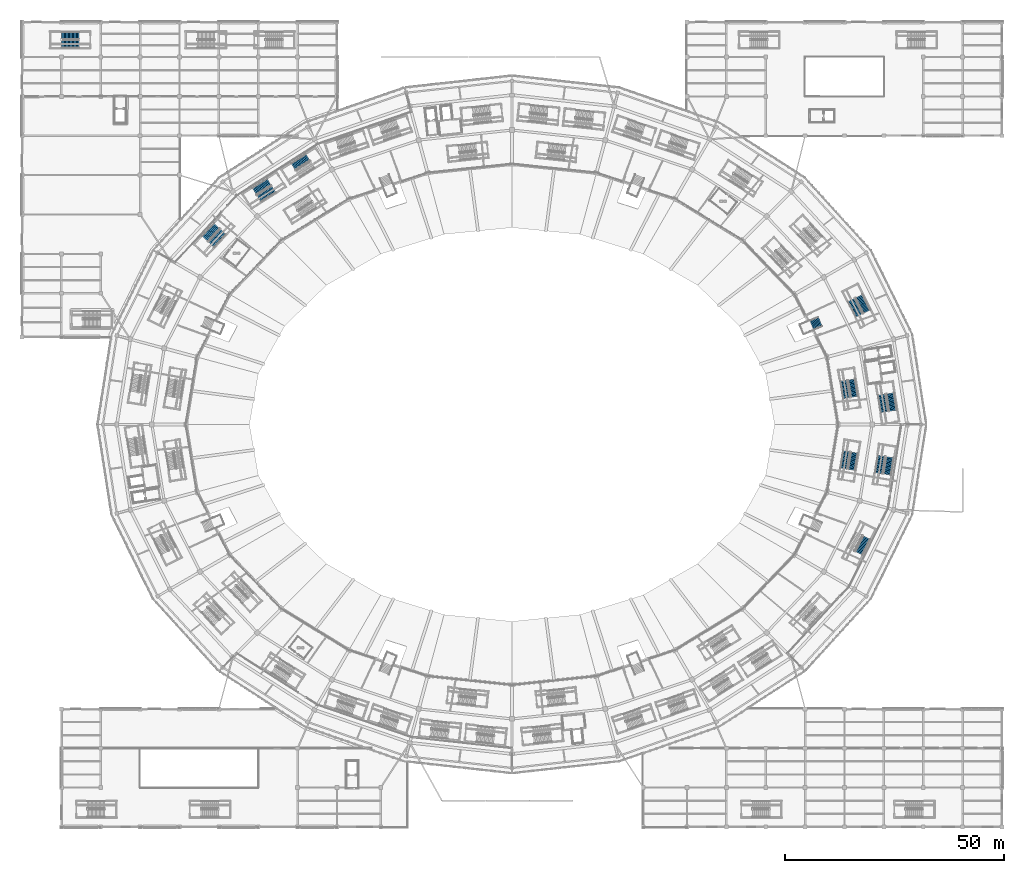
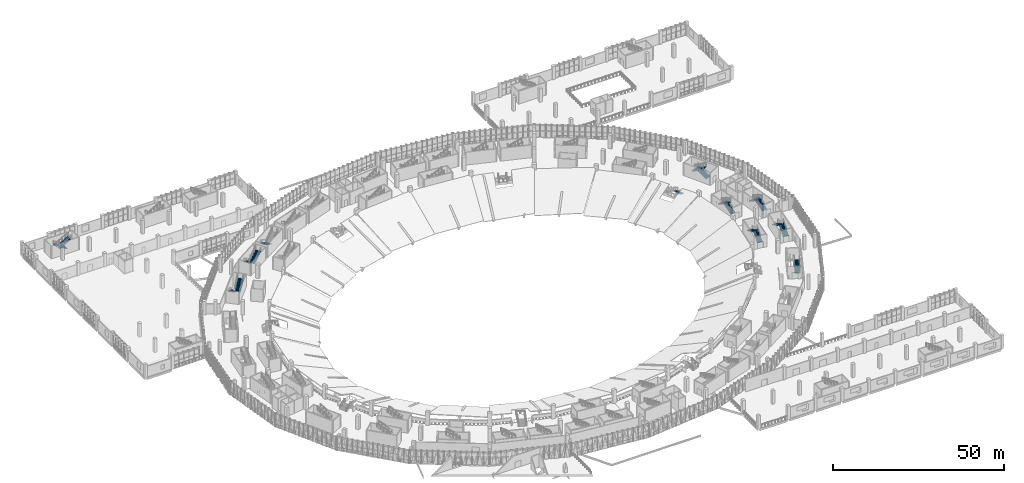
# One storey, part 116 of 183: 19 stair flights, 11 elements without a shape of their own.
"""IFC4 building model written with IfcOpenShell, lengths in metres."""

from ifc_helpers import new_model, si_unit, direction, frame, origin, place, context, subcontext, project, spatial, polyline, outline, extrude, material, type_object, element, aggregate, save


model = new_model("IFC4")

# Units and contexts
model_context = context("Model", 3, precision=1e-05, world=origin(), true_north=direction((0.0, 1.0)))
body_context = subcontext(model_context, "Body", "Model", "MODEL_VIEW")
ifc_project = project(units=[si_unit("LENGTHUNIT", "METRE"), si_unit("AREAUNIT", "SQUARE_METRE"), si_unit("VOLUMEUNIT", "CUBIC_METRE"), si_unit("PLANEANGLEUNIT", "RADIAN"), si_unit("MASSUNIT", "GRAM", prefix="KILO")], contexts=[model_context])

# Site, building, storey
site_placement = place(None, origin())
site = spatial("IfcSite", under=ifc_project, at=site_placement, CompositionType="ELEMENT")
building_placement = place(site_placement, origin())
building = spatial("IfcBuilding", under=site, at=building_placement, Name="Zevraka Park Crest Stadium", CompositionType="ELEMENT")
storey_placement = place(building_placement, frame((0.0, 0.0, 5.39990234375)))
storey = spatial("IfcBuildingStorey", under=building, at=storey_placement, Name="L01", CompositionType="ELEMENT", Elevation=5.39990234375)

# Stair, stair flights
ifc_material_1 = material(Name="Concrete C35/45", Category="concrete")
stair_type_1 = type_object("IfcStairType", Name="STA2", PredefinedType="HALF_TURN_STAIR", material=ifc_material_1)
stair_1_placement = place(storey_placement, origin())
stair_1 = element("IfcStair", 1, at=stair_1_placement, inside=storey, type_object=stair_type_1, Name="L01 Protected Concourse Exit Stair ST01", PredefinedType="HALF_TURN_STAIR")
ifc_material_2 = material(Name="Concrete C35/45", Category="concrete")
stair_flight_type_1 = type_object("IfcStairFlightType", Name="FLA2", PredefinedType="STRAIGHT", material=ifc_material_2)
stair_flight_1_placement = place(storey_placement, frame((199.0859375, 95.17333984375, 0.0), z_axis=(0.0, 0.0, 1.0), x_axis=(-0.157261853897, 0.987556939781, 0.0)))
stair_flight_1 = element("IfcStairFlight", 2, at=stair_flight_1_placement, type_object=stair_flight_type_1, Name="ST01 flight 1", NumberOfRisers=14, NumberOfTreads=13, PredefinedType="STRAIGHT", RiserHeight=0.171428571, TreadLength=0.305, context=body_context, shape_type="SweptSolid", body=[
    extrude(outline(polyline([(0.0, 0.0), (0.0, 0.17138671875), (0.304931640625, 0.17138671875), (0.304931640625, 0.3427734375), (0.610107421875, 0.3427734375), (0.610107421875, 0.514404296875), (0.9150390625, 0.514404296875), (0.9150390625, 0.685791015625), (1.219970703125, 0.685791015625), (1.219970703125, 0.857177734375), (1.52490234375, 0.857177734375), (1.52490234375, 1.028564453125), (1.830078125, 1.028564453125), (1.830078125, 1.199951171875), (2.135009765625, 1.199951171875), (2.135009765625, 1.371337890625), (2.43994140625, 1.371337890625), (2.43994140625, 1.54296875), (2.7451171875, 1.54296875), (2.7451171875, 1.71435546875), (3.050048828125, 1.71435546875), (3.050048828125, 1.8857421875), (3.35498046875, 1.8857421875), (3.35498046875, 2.05712890625), (3.659912109375, 2.05712890625), (3.659912109375, 2.228515625), (3.965087890625, 2.228515625), (3.965087890625, 2.39990234375), (3.965087890625, 2.045166015625), (0.326416015625, 0.0), (0.0, 0.0)])), frame((0.0, 0.89990234375, 0.0), z_axis=(0.0, -1.0, 0.0), x_axis=(1.0, 0.0, 0.0)), (0.0, 0.0, 1.0), 1.800048828125),
])
stair_flight_2_placement = place(storey_placement, frame((196.52685546875, 98.78076171875, 2.400146484375), z_axis=(0.0, 0.0, 1.0), x_axis=(0.157261853897, -0.987556939781, 0.0)))
stair_flight_2 = element("IfcStairFlight", 3, at=stair_flight_2_placement, type_object=stair_flight_type_1, Name="ST01 flight 2", NumberOfRisers=14, NumberOfTreads=13, PredefinedType="STRAIGHT", RiserHeight=0.171428571, TreadLength=0.305, context=body_context, shape_type="SweptSolid", body=[
    extrude(outline(polyline([(0.0, 0.0), (0.0, 0.17138671875), (0.304931640625, 0.17138671875), (0.304931640625, 0.3427734375), (0.610107421875, 0.3427734375), (0.610107421875, 0.514404296875), (0.9150390625, 0.514404296875), (0.9150390625, 0.685791015625), (1.219970703125, 0.685791015625), (1.219970703125, 0.857177734375), (1.52490234375, 0.857177734375), (1.52490234375, 1.028564453125), (1.830078125, 1.028564453125), (1.830078125, 1.199951171875), (2.135009765625, 1.199951171875), (2.135009765625, 1.371337890625), (2.43994140625, 1.371337890625), (2.43994140625, 1.54296875), (2.7451171875, 1.54296875), (2.7451171875, 1.71435546875), (3.050048828125, 1.71435546875), (3.050048828125, 1.8857421875), (3.35498046875, 1.8857421875), (3.35498046875, 2.05712890625), (3.659912109375, 2.05712890625), (3.659912109375, 2.228515625), (3.965087890625, 2.228515625), (3.965087890625, 2.39990234375), (3.965087890625, 2.045166015625), (0.326416015625, 0.0), (0.0, 0.0)])), frame((0.0, 0.89990234375, 0.0), z_axis=(0.0, -1.0, 0.0), x_axis=(1.0, 0.0, 0.0)), (0.0, 0.0, 1.0), 1.800048828125),
])
aggregate(stair_1, [stair_flight_1, stair_flight_2])

stair_2_placement = place(storey_placement, origin())
stair_2 = element("IfcStair", 4, at=stair_2_placement, inside=storey, type_object=stair_type_1, Name="L01 Protected Concourse Exit Stair ST02", PredefinedType="HALF_TURN_STAIR")
stair_flight_3_placement = place(storey_placement, frame((193.1064453125, 117.7939453125, 0.0), z_axis=(0.0, 0.0, 1.0), x_axis=(-0.447915140373, 0.894076074518, 0.0)))
stair_flight_3 = element("IfcStairFlight", 5, at=stair_flight_3_placement, type_object=stair_flight_type_1, Name="ST02 flight 1", NumberOfRisers=14, NumberOfTreads=13, PredefinedType="STRAIGHT", RiserHeight=0.171428571, TreadLength=0.305, context=body_context, shape_type="SweptSolid", body=[
    extrude(outline(polyline([(0.0, 0.0), (0.0, 0.17138671875), (0.304931640625, 0.17138671875), (0.304931640625, 0.3427734375), (0.610107421875, 0.3427734375), (0.610107421875, 0.514404296875), (0.9150390625, 0.514404296875), (0.9150390625, 0.685791015625), (1.219970703125, 0.685791015625), (1.219970703125, 0.857177734375), (1.52490234375, 0.857177734375), (1.52490234375, 1.028564453125), (1.830078125, 1.028564453125), (1.830078125, 1.199951171875), (2.135009765625, 1.199951171875), (2.135009765625, 1.371337890625), (2.43994140625, 1.371337890625), (2.43994140625, 1.54296875), (2.7451171875, 1.54296875), (2.7451171875, 1.71435546875), (3.050048828125, 1.71435546875), (3.050048828125, 1.8857421875), (3.35498046875, 1.8857421875), (3.35498046875, 2.05712890625), (3.659912109375, 2.05712890625), (3.659912109375, 2.228515625), (3.965087890625, 2.228515625), (3.965087890625, 2.39990234375), (3.965087890625, 2.045166015625), (0.326416015625, 0.0), (0.0, 0.0)])), frame((0.0, 0.89990234375, 0.0), z_axis=(0.0, -1.0, 0.0), x_axis=(1.0, 0.0, 0.0)), (0.0, 0.0, 1.0), 1.800048828125),
])
stair_flight_4_placement = place(storey_placement, frame((189.578125, 120.461181640625, 2.400146484375), z_axis=(0.0, 0.0, 1.0), x_axis=(0.447915140373, -0.894076074518, 0.0)))
stair_flight_4 = element("IfcStairFlight", 6, at=stair_flight_4_placement, type_object=stair_flight_type_1, Name="ST02 flight 2", NumberOfRisers=14, NumberOfTreads=13, PredefinedType="STRAIGHT", RiserHeight=0.171428571, TreadLength=0.305, context=body_context, shape_type="SweptSolid", body=[
    extrude(outline(polyline([(0.0, 0.0), (0.0, 0.17138671875), (0.304931640625, 0.17138671875), (0.304931640625, 0.3427734375), (0.610107421875, 0.3427734375), (0.610107421875, 0.514404296875), (0.9150390625, 0.514404296875), (0.9150390625, 0.685791015625), (1.219970703125, 0.685791015625), (1.219970703125, 0.857177734375), (1.52490234375, 0.857177734375), (1.52490234375, 1.028564453125), (1.830078125, 1.028564453125), (1.830078125, 1.199951171875), (2.135009765625, 1.199951171875), (2.135009765625, 1.371337890625), (2.43994140625, 1.371337890625), (2.43994140625, 1.54296875), (2.7451171875, 1.54296875), (2.7451171875, 1.71435546875), (3.050048828125, 1.71435546875), (3.050048828125, 1.8857421875), (3.35498046875, 1.8857421875), (3.35498046875, 2.05712890625), (3.659912109375, 2.05712890625), (3.659912109375, 2.228515625), (3.965087890625, 2.228515625), (3.965087890625, 2.39990234375), (3.965087890625, 2.045166015625), (0.326416015625, 0.0), (0.0, 0.0)])), frame((0.0, 0.89990234375, 0.0), z_axis=(0.0, -1.0, 0.0), x_axis=(1.0, 0.0, 0.0)), (0.0, 0.0, 1.0), 1.800048828125),
])
aggregate(stair_2, [stair_flight_3, stair_flight_4])

# Stair, stair flight
stair_3_placement = place(storey_placement, origin())
stair_3 = element("IfcStair", 7, at=stair_3_placement, inside=storey, type_object=stair_type_1, Name="L01 Protected Concourse Exit Stair ST09", PredefinedType="HALF_TURN_STAIR")
stair_flight_5_placement = place(storey_placement, frame((65.35009765625, 153.042724609375, 0.0), z_axis=(0.0, 0.0, 1.0), x_axis=(-0.844397122829, -0.535717741874, 0.0)))
stair_flight_5 = element("IfcStairFlight", 8, at=stair_flight_5_placement, type_object=stair_flight_type_1, Name="ST09 flight 1", NumberOfRisers=14, NumberOfTreads=13, PredefinedType="STRAIGHT", RiserHeight=0.171428571, TreadLength=0.305, context=body_context, shape_type="SweptSolid", body=[
    extrude(outline(polyline([(0.0, 0.0), (0.0, 0.17138671875), (0.304931640625, 0.17138671875), (0.304931640625, 0.3427734375), (0.610107421875, 0.3427734375), (0.610107421875, 0.514404296875), (0.9150390625, 0.514404296875), (0.9150390625, 0.685791015625), (1.219970703125, 0.685791015625), (1.219970703125, 0.857177734375), (1.52490234375, 0.857177734375), (1.52490234375, 1.028564453125), (1.830078125, 1.028564453125), (1.830078125, 1.199951171875), (2.135009765625, 1.199951171875), (2.135009765625, 1.371337890625), (2.43994140625, 1.371337890625), (2.43994140625, 1.54296875), (2.7451171875, 1.54296875), (2.7451171875, 1.71435546875), (3.050048828125, 1.71435546875), (3.050048828125, 1.8857421875), (3.35498046875, 1.8857421875), (3.35498046875, 2.05712890625), (3.659912109375, 2.05712890625), (3.659912109375, 2.228515625), (3.965087890625, 2.228515625), (3.965087890625, 2.39990234375), (3.965087890625, 2.045166015625), (0.326416015625, 0.0), (0.0, 0.0)])), frame((0.0, 0.89990234375, 0.0), z_axis=(0.0, -1.0, 0.0), x_axis=(1.0, 0.0, 0.0)), (0.0, 0.0, 1.0), 1.800048828125),
])
aggregate(stair_3, [stair_flight_5])

# Stair, stair flights
stair_4_placement = place(storey_placement, origin())
stair_4 = element("IfcStair", 9, at=stair_4_placement, inside=storey, type_object=stair_type_1, Name="L01 Protected Concourse Exit Stair ST10", PredefinedType="HALF_TURN_STAIR")
stair_flight_6_placement = place(storey_placement, frame((44.5419921875, 137.365234375, 0.0), z_axis=(0.0, 0.0, 1.0), x_axis=(-0.680255347227, -0.732975212793, 0.0)))
stair_flight_6 = element("IfcStairFlight", 10, at=stair_flight_6_placement, type_object=stair_flight_type_1, Name="ST10 flight 1", NumberOfRisers=14, NumberOfTreads=13, PredefinedType="STRAIGHT", RiserHeight=0.171428571, TreadLength=0.305, context=body_context, shape_type="SweptSolid", body=[
    extrude(outline(polyline([(0.0, 0.0), (0.0, 0.17138671875), (0.304931640625, 0.17138671875), (0.304931640625, 0.3427734375), (0.610107421875, 0.3427734375), (0.610107421875, 0.514404296875), (0.9150390625, 0.514404296875), (0.9150390625, 0.685791015625), (1.219970703125, 0.685791015625), (1.219970703125, 0.857177734375), (1.52490234375, 0.857177734375), (1.52490234375, 1.028564453125), (1.830078125, 1.028564453125), (1.830078125, 1.199951171875), (2.135009765625, 1.199951171875), (2.135009765625, 1.371337890625), (2.43994140625, 1.371337890625), (2.43994140625, 1.54296875), (2.7451171875, 1.54296875), (2.7451171875, 1.71435546875), (3.050048828125, 1.71435546875), (3.050048828125, 1.8857421875), (3.35498046875, 1.8857421875), (3.35498046875, 2.05712890625), (3.659912109375, 2.05712890625), (3.659912109375, 2.228515625), (3.965087890625, 2.228515625), (3.965087890625, 2.39990234375), (3.965087890625, 2.045166015625), (0.326416015625, 0.0), (0.0, 0.0)])), frame((0.0, 0.89990234375, 0.0), z_axis=(0.0, -1.0, 0.0), x_axis=(1.0, 0.0, 0.0)), (0.0, 0.0, 1.0), 1.800048828125),
])
stair_flight_7_placement = place(storey_placement, frame((43.281494140625, 133.125732421875, 2.400146484375), z_axis=(0.0, 0.0, 1.0), x_axis=(0.680255347227, 0.732975212793, 0.0)))
stair_flight_7 = element("IfcStairFlight", 11, at=stair_flight_7_placement, type_object=stair_flight_type_1, Name="ST10 flight 2", NumberOfRisers=14, NumberOfTreads=13, PredefinedType="STRAIGHT", RiserHeight=0.171428571, TreadLength=0.305, context=body_context, shape_type="SweptSolid", body=[
    extrude(outline(polyline([(0.0, 0.0), (0.0, 0.17138671875), (0.304931640625, 0.17138671875), (0.304931640625, 0.3427734375), (0.610107421875, 0.3427734375), (0.610107421875, 0.514404296875), (0.9150390625, 0.514404296875), (0.9150390625, 0.685791015625), (1.219970703125, 0.685791015625), (1.219970703125, 0.857177734375), (1.52490234375, 0.857177734375), (1.52490234375, 1.028564453125), (1.830078125, 1.028564453125), (1.830078125, 1.199951171875), (2.135009765625, 1.199951171875), (2.135009765625, 1.371337890625), (2.43994140625, 1.371337890625), (2.43994140625, 1.54296875), (2.7451171875, 1.54296875), (2.7451171875, 1.71435546875), (3.050048828125, 1.71435546875), (3.050048828125, 1.8857421875), (3.35498046875, 1.8857421875), (3.35498046875, 2.05712890625), (3.659912109375, 2.05712890625), (3.659912109375, 2.228515625), (3.965087890625, 2.228515625), (3.965087890625, 2.39990234375), (3.965087890625, 2.045166015625), (0.326416015625, 0.0), (0.0, 0.0)])), frame((0.0, 0.89990234375, 0.0), z_axis=(0.0, -1.0, 0.0), x_axis=(1.0, 0.0, 0.0)), (0.0, 0.0, 1.0), 1.800048828125),
])
aggregate(stair_4, [stair_flight_6, stair_flight_7])

# Stair, stair flight
stair_5_placement = place(storey_placement, origin())
stair_5 = element("IfcStair", 12, at=stair_5_placement, inside=storey, type_object=stair_type_1, Name="L01 Protected Concourse Exit Stair ST23", PredefinedType="HALF_TURN_STAIR")
stair_flight_8_placement = place(storey_placement, frame((191.292236328125, 62.584228515625, 0.0), z_axis=(0.0, 0.0, 1.0), x_axis=(0.447915140373, 0.894076074518, 0.0)))
stair_flight_8 = element("IfcStairFlight", 13, at=stair_flight_8_placement, type_object=stair_flight_type_1, Name="ST23 flight 1", NumberOfRisers=14, NumberOfTreads=13, PredefinedType="STRAIGHT", RiserHeight=0.171428571, TreadLength=0.305, context=body_context, shape_type="SweptSolid", body=[
    extrude(outline(polyline([(0.0, 0.0), (0.0, 0.17138671875), (0.304931640625, 0.17138671875), (0.304931640625, 0.3427734375), (0.610107421875, 0.3427734375), (0.610107421875, 0.514404296875), (0.9150390625, 0.514404296875), (0.9150390625, 0.685791015625), (1.219970703125, 0.685791015625), (1.219970703125, 0.857177734375), (1.52490234375, 0.857177734375), (1.52490234375, 1.028564453125), (1.830078125, 1.028564453125), (1.830078125, 1.199951171875), (2.135009765625, 1.199951171875), (2.135009765625, 1.371337890625), (2.43994140625, 1.371337890625), (2.43994140625, 1.54296875), (2.7451171875, 1.54296875), (2.7451171875, 1.71435546875), (3.050048828125, 1.71435546875), (3.050048828125, 1.8857421875), (3.35498046875, 1.8857421875), (3.35498046875, 2.05712890625), (3.659912109375, 2.05712890625), (3.659912109375, 2.228515625), (3.965087890625, 2.228515625), (3.965087890625, 2.39990234375), (3.965087890625, 2.045166015625), (0.326416015625, 0.0), (0.0, 0.0)])), frame((0.0, 0.89990234375, 0.0), z_axis=(0.0, -1.0, 0.0), x_axis=(1.0, 0.0, 0.0)), (0.0, 0.0, 1.0), 1.800048828125),
])
aggregate(stair_5, [stair_flight_8])

# Stair, stair flights
stair_6_placement = place(storey_placement, origin())
stair_6 = element("IfcStair", 14, at=stair_6_placement, inside=storey, type_object=stair_type_1, Name="L01 Protected Concourse Exit Stair ST24", PredefinedType="HALF_TURN_STAIR")
stair_flight_9_placement = place(storey_placement, frame((197.7734375, 80.580322265625, 0.0), z_axis=(0.0, 0.0, 1.0), x_axis=(0.157261853897, 0.987556939781, 0.0)))
stair_flight_9 = element("IfcStairFlight", 15, at=stair_flight_9_placement, type_object=stair_flight_type_1, Name="ST24 flight 1", NumberOfRisers=14, NumberOfTreads=13, PredefinedType="STRAIGHT", RiserHeight=0.171428571, TreadLength=0.305, context=body_context, shape_type="SweptSolid", body=[
    extrude(outline(polyline([(0.0, 0.0), (0.0, 0.17138671875), (0.304931640625, 0.17138671875), (0.304931640625, 0.3427734375), (0.610107421875, 0.3427734375), (0.610107421875, 0.514404296875), (0.9150390625, 0.514404296875), (0.9150390625, 0.685791015625), (1.219970703125, 0.685791015625), (1.219970703125, 0.857177734375), (1.52490234375, 0.857177734375), (1.52490234375, 1.028564453125), (1.830078125, 1.028564453125), (1.830078125, 1.199951171875), (2.135009765625, 1.199951171875), (2.135009765625, 1.371337890625), (2.43994140625, 1.371337890625), (2.43994140625, 1.54296875), (2.7451171875, 1.54296875), (2.7451171875, 1.71435546875), (3.050048828125, 1.71435546875), (3.050048828125, 1.8857421875), (3.35498046875, 1.8857421875), (3.35498046875, 2.05712890625), (3.659912109375, 2.05712890625), (3.659912109375, 2.228515625), (3.965087890625, 2.228515625), (3.965087890625, 2.39990234375), (3.965087890625, 2.045166015625), (0.326416015625, 0.0), (0.0, 0.0)])), frame((0.0, 0.89990234375, 0.0), z_axis=(0.0, -1.0, 0.0), x_axis=(1.0, 0.0, 0.0)), (0.0, 0.0, 1.0), 1.800048828125),
])
stair_flight_10_placement = place(storey_placement, frame((196.461181640625, 84.804443359375, 2.400146484375), z_axis=(0.0, 0.0, 1.0), x_axis=(-0.157261853897, -0.987556939781, 0.0)))
stair_flight_10 = element("IfcStairFlight", 16, at=stair_flight_10_placement, type_object=stair_flight_type_1, Name="ST24 flight 2", NumberOfRisers=14, NumberOfTreads=13, PredefinedType="STRAIGHT", RiserHeight=0.171428571, TreadLength=0.305, context=body_context, shape_type="SweptSolid", body=[
    extrude(outline(polyline([(0.0, 0.0), (0.0, 0.17138671875), (0.304931640625, 0.17138671875), (0.304931640625, 0.3427734375), (0.610107421875, 0.3427734375), (0.610107421875, 0.514404296875), (0.9150390625, 0.514404296875), (0.9150390625, 0.685791015625), (1.219970703125, 0.685791015625), (1.219970703125, 0.857177734375), (1.52490234375, 0.857177734375), (1.52490234375, 1.028564453125), (1.830078125, 1.028564453125), (1.830078125, 1.199951171875), (2.135009765625, 1.199951171875), (2.135009765625, 1.371337890625), (2.43994140625, 1.371337890625), (2.43994140625, 1.54296875), (2.7451171875, 1.54296875), (2.7451171875, 1.71435546875), (3.050048828125, 1.71435546875), (3.050048828125, 1.8857421875), (3.35498046875, 1.8857421875), (3.35498046875, 2.05712890625), (3.659912109375, 2.05712890625), (3.659912109375, 2.228515625), (3.965087890625, 2.228515625), (3.965087890625, 2.39990234375), (3.965087890625, 2.045166015625), (0.326416015625, 0.0), (0.0, 0.0)])), frame((0.0, 0.89990234375, 0.0), z_axis=(0.0, -1.0, 0.0), x_axis=(1.0, 0.0, 0.0)), (0.0, 0.0, 1.0), 1.800048828125),
])
aggregate(stair_6, [stair_flight_9, stair_flight_10])

stair_7_placement = place(storey_placement, origin())
stair_7 = element("IfcStair", 17, at=stair_7_placement, inside=storey, type_object=stair_type_1, Name="L01 Protected Paired Concourse Exit Stair ST28", PredefinedType="HALF_TURN_STAIR")
stair_flight_11_placement = place(storey_placement, frame((56.484130859375, 147.417724609375, 0.0), z_axis=(0.0, 0.0, 1.0), x_axis=(-0.844397122829, -0.535717741874, 0.0)))
stair_flight_11 = element("IfcStairFlight", 18, at=stair_flight_11_placement, type_object=stair_flight_type_1, Name="ST28 flight 1", NumberOfRisers=14, NumberOfTreads=13, PredefinedType="STRAIGHT", RiserHeight=0.171428571, TreadLength=0.305, context=body_context, shape_type="SweptSolid", body=[
    extrude(outline(polyline([(0.0, 0.0), (0.0, 0.17138671875), (0.304931640625, 0.17138671875), (0.304931640625, 0.3427734375), (0.610107421875, 0.3427734375), (0.610107421875, 0.514404296875), (0.9150390625, 0.514404296875), (0.9150390625, 0.685791015625), (1.219970703125, 0.685791015625), (1.219970703125, 0.857177734375), (1.52490234375, 0.857177734375), (1.52490234375, 1.028564453125), (1.830078125, 1.028564453125), (1.830078125, 1.199951171875), (2.135009765625, 1.199951171875), (2.135009765625, 1.371337890625), (2.43994140625, 1.371337890625), (2.43994140625, 1.54296875), (2.7451171875, 1.54296875), (2.7451171875, 1.71435546875), (3.050048828125, 1.71435546875), (3.050048828125, 1.8857421875), (3.35498046875, 1.8857421875), (3.35498046875, 2.05712890625), (3.659912109375, 2.05712890625), (3.659912109375, 2.228515625), (3.965087890625, 2.228515625), (3.965087890625, 2.39990234375), (3.965087890625, 2.045166015625), (0.326416015625, 0.0), (0.0, 0.0)])), frame((0.0, 0.89990234375, 0.0), z_axis=(0.0, -1.0, 0.0), x_axis=(1.0, 0.0, 0.0)), (0.0, 0.0, 1.0), 1.800048828125),
])
stair_flight_12_placement = place(storey_placement, frame((54.18603515625, 143.638671875, 2.400146484375), z_axis=(0.0, 0.0, 1.0), x_axis=(0.844397122829, 0.535717741874, 0.0)))
stair_flight_12 = element("IfcStairFlight", 19, at=stair_flight_12_placement, type_object=stair_flight_type_1, Name="ST28 flight 2", NumberOfRisers=14, NumberOfTreads=13, PredefinedType="STRAIGHT", RiserHeight=0.171428571, TreadLength=0.305, context=body_context, shape_type="SweptSolid", body=[
    extrude(outline(polyline([(0.0, 0.0), (0.0, 0.17138671875), (0.304931640625, 0.17138671875), (0.304931640625, 0.3427734375), (0.610107421875, 0.3427734375), (0.610107421875, 0.514404296875), (0.9150390625, 0.514404296875), (0.9150390625, 0.685791015625), (1.219970703125, 0.685791015625), (1.219970703125, 0.857177734375), (1.52490234375, 0.857177734375), (1.52490234375, 1.028564453125), (1.830078125, 1.028564453125), (1.830078125, 1.199951171875), (2.135009765625, 1.199951171875), (2.135009765625, 1.371337890625), (2.43994140625, 1.371337890625), (2.43994140625, 1.54296875), (2.7451171875, 1.54296875), (2.7451171875, 1.71435546875), (3.050048828125, 1.71435546875), (3.050048828125, 1.8857421875), (3.35498046875, 1.8857421875), (3.35498046875, 2.05712890625), (3.659912109375, 2.05712890625), (3.659912109375, 2.228515625), (3.965087890625, 2.228515625), (3.965087890625, 2.39990234375), (3.965087890625, 2.045166015625), (0.326416015625, 0.0), (0.0, 0.0)])), frame((0.0, 0.89990234375, 0.0), z_axis=(0.0, -1.0, 0.0), x_axis=(1.0, 0.0, 0.0)), (0.0, 0.0, 1.0), 1.800048828125),
])
aggregate(stair_7, [stair_flight_11, stair_flight_12])

ifc_material_3 = material(Name="Concrete C35/45", Category="concrete")
stair_type_2 = type_object("IfcStairType", Name="STB2", PredefinedType="HALF_TURN_STAIR", material=ifc_material_3)
stair_8_placement = place(storey_placement, origin())
stair_8 = element("IfcStair", 20, at=stair_8_placement, inside=storey, type_object=stair_type_2, Name="L01 Protected Concourse Relief Stair ST33", PredefinedType="HALF_TURN_STAIR")
ifc_material_4 = material(Name="Concrete C35/45", Category="concrete")
stair_flight_type_2 = type_object("IfcStairFlightType", Name="FLB2", PredefinedType="STRAIGHT", material=ifc_material_4)
stair_flight_13_placement = place(storey_placement, frame((190.282958984375, 98.3515625, 0.0), z_axis=(0.0, 0.0, 1.0), x_axis=(-0.16070639019, 0.98700225742, 0.0)))
stair_flight_13 = element("IfcStairFlight", 21, at=stair_flight_13_placement, type_object=stair_flight_type_2, Name="ST33 flight 1", NumberOfRisers=14, NumberOfTreads=13, PredefinedType="STRAIGHT", RiserHeight=0.171428571, TreadLength=0.305, context=body_context, shape_type="SweptSolid", body=[
    extrude(outline(polyline([(0.0, 0.0), (0.0, 0.17138671875), (0.304931640625, 0.17138671875), (0.304931640625, 0.3427734375), (0.610107421875, 0.3427734375), (0.610107421875, 0.514404296875), (0.9150390625, 0.514404296875), (0.9150390625, 0.685791015625), (1.219970703125, 0.685791015625), (1.219970703125, 0.857177734375), (1.52490234375, 0.857177734375), (1.52490234375, 1.028564453125), (1.830078125, 1.028564453125), (1.830078125, 1.199951171875), (2.135009765625, 1.199951171875), (2.135009765625, 1.371337890625), (2.43994140625, 1.371337890625), (2.43994140625, 1.54296875), (2.7451171875, 1.54296875), (2.7451171875, 1.71435546875), (3.050048828125, 1.71435546875), (3.050048828125, 1.8857421875), (3.35498046875, 1.8857421875), (3.35498046875, 2.05712890625), (3.659912109375, 2.05712890625), (3.659912109375, 2.228515625), (3.965087890625, 2.228515625), (3.965087890625, 2.39990234375), (3.965087890625, 2.045166015625), (0.326416015625, 0.0), (0.0, 0.0)])), frame((0.0, 0.824951171875, 0.0), z_axis=(0.0, -1.0, 0.0), x_axis=(1.0, 0.0, 0.0)), (0.0, 0.0, 1.0), 1.64990234375),
])
stair_flight_14_placement = place(storey_placement, frame((187.859375, 101.97412109375, 2.400146484375), z_axis=(0.0, 0.0, 1.0), x_axis=(0.16070639019, -0.98700225742, 0.0)))
stair_flight_14 = element("IfcStairFlight", 22, at=stair_flight_14_placement, type_object=stair_flight_type_2, Name="ST33 flight 2", NumberOfRisers=14, NumberOfTreads=13, PredefinedType="STRAIGHT", RiserHeight=0.171428571, TreadLength=0.305, context=body_context, shape_type="SweptSolid", body=[
    extrude(outline(polyline([(0.0, 0.0), (0.0, 0.17138671875), (0.304931640625, 0.17138671875), (0.304931640625, 0.3427734375), (0.610107421875, 0.3427734375), (0.610107421875, 0.514404296875), (0.9150390625, 0.514404296875), (0.9150390625, 0.685791015625), (1.219970703125, 0.685791015625), (1.219970703125, 0.857177734375), (1.52490234375, 0.857177734375), (1.52490234375, 1.028564453125), (1.830078125, 1.028564453125), (1.830078125, 1.199951171875), (2.135009765625, 1.199951171875), (2.135009765625, 1.371337890625), (2.43994140625, 1.371337890625), (2.43994140625, 1.54296875), (2.7451171875, 1.54296875), (2.7451171875, 1.71435546875), (3.050048828125, 1.71435546875), (3.050048828125, 1.8857421875), (3.35498046875, 1.8857421875), (3.35498046875, 2.05712890625), (3.659912109375, 2.05712890625), (3.659912109375, 2.228515625), (3.965087890625, 2.228515625), (3.965087890625, 2.39990234375), (3.965087890625, 2.045166015625), (0.326416015625, 0.0), (0.0, 0.0)])), frame((0.0, 0.824951171875, 0.0), z_axis=(0.0, -1.0, 0.0), x_axis=(1.0, 0.0, 0.0)), (0.0, 0.0, 1.0), 1.64990234375),
])
aggregate(stair_8, [stair_flight_13, stair_flight_14])

stair_9_placement = place(storey_placement, origin())
stair_9 = element("IfcStair", 23, at=stair_9_placement, inside=storey, type_object=stair_type_2, Name="L01 Protected Concourse Relief Stair ST44", PredefinedType="HALF_TURN_STAIR")
stair_flight_15_placement = place(storey_placement, frame((189.63134765625, 81.650634765625, 0.0), z_axis=(0.0, 0.0, 1.0), x_axis=(0.16070639019, 0.98700225742, 0.0)))
stair_flight_15 = element("IfcStairFlight", 24, at=stair_flight_15_placement, type_object=stair_flight_type_2, Name="ST44 flight 1", NumberOfRisers=14, NumberOfTreads=13, PredefinedType="STRAIGHT", RiserHeight=0.171428571, TreadLength=0.305, context=body_context, shape_type="SweptSolid", body=[
    extrude(outline(polyline([(0.0, 0.0), (0.0, 0.17138671875), (0.304931640625, 0.17138671875), (0.304931640625, 0.3427734375), (0.610107421875, 0.3427734375), (0.610107421875, 0.514404296875), (0.9150390625, 0.514404296875), (0.9150390625, 0.685791015625), (1.219970703125, 0.685791015625), (1.219970703125, 0.857177734375), (1.52490234375, 0.857177734375), (1.52490234375, 1.028564453125), (1.830078125, 1.028564453125), (1.830078125, 1.199951171875), (2.135009765625, 1.199951171875), (2.135009765625, 1.371337890625), (2.43994140625, 1.371337890625), (2.43994140625, 1.54296875), (2.7451171875, 1.54296875), (2.7451171875, 1.71435546875), (3.050048828125, 1.71435546875), (3.050048828125, 1.8857421875), (3.35498046875, 1.8857421875), (3.35498046875, 2.05712890625), (3.659912109375, 2.05712890625), (3.659912109375, 2.228515625), (3.965087890625, 2.228515625), (3.965087890625, 2.39990234375), (3.965087890625, 2.045166015625), (0.326416015625, 0.0), (0.0, 0.0)])), frame((0.0, 0.824951171875, 0.0), z_axis=(0.0, -1.0, 0.0), x_axis=(1.0, 0.0, 0.0)), (0.0, 0.0, 1.0), 1.64990234375),
])
stair_flight_16_placement = place(storey_placement, frame((188.482177734375, 85.85498046875, 2.400146484375), z_axis=(0.0, 0.0, 1.0), x_axis=(-0.16070639019, -0.98700225742, 0.0)))
stair_flight_16 = element("IfcStairFlight", 25, at=stair_flight_16_placement, type_object=stair_flight_type_2, Name="ST44 flight 2", NumberOfRisers=14, NumberOfTreads=13, PredefinedType="STRAIGHT", RiserHeight=0.171428571, TreadLength=0.305, context=body_context, shape_type="SweptSolid", body=[
    extrude(outline(polyline([(0.0, 0.0), (0.0, 0.17138671875), (0.304931640625, 0.17138671875), (0.304931640625, 0.3427734375), (0.610107421875, 0.3427734375), (0.610107421875, 0.514404296875), (0.9150390625, 0.514404296875), (0.9150390625, 0.685791015625), (1.219970703125, 0.685791015625), (1.219970703125, 0.857177734375), (1.52490234375, 0.857177734375), (1.52490234375, 1.028564453125), (1.830078125, 1.028564453125), (1.830078125, 1.199951171875), (2.135009765625, 1.199951171875), (2.135009765625, 1.371337890625), (2.43994140625, 1.371337890625), (2.43994140625, 1.54296875), (2.7451171875, 1.54296875), (2.7451171875, 1.71435546875), (3.050048828125, 1.71435546875), (3.050048828125, 1.8857421875), (3.35498046875, 1.8857421875), (3.35498046875, 2.05712890625), (3.659912109375, 2.05712890625), (3.659912109375, 2.228515625), (3.965087890625, 2.228515625), (3.965087890625, 2.39990234375), (3.965087890625, 2.045166015625), (0.326416015625, 0.0), (0.0, 0.0)])), frame((0.0, 0.824951171875, 0.0), z_axis=(0.0, -1.0, 0.0), x_axis=(1.0, 0.0, 0.0)), (0.0, 0.0, 1.0), 1.64990234375),
])
aggregate(stair_9, [stair_flight_15, stair_flight_16])

ifc_material_5 = material(Name="Concrete C35/45", Category="concrete")
stair_type_3 = type_object("IfcStairType", Name="STC2", PredefinedType="HALF_TURN_STAIR", material=ifc_material_5)
stair_10_placement = place(storey_placement, origin())
stair_10 = element("IfcStair", 26, at=stair_10_placement, inside=storey, type_object=stair_type_3, Name="L01 NW Veranda Wing North-West Stair ST47", PredefinedType="HALF_TURN_STAIR")
ifc_material_6 = material(Name="Concrete C35/45", Category="concrete")
stair_flight_type_3 = type_object("IfcStairFlightType", Name="FLC2", PredefinedType="STRAIGHT", material=ifc_material_6)
stair_flight_17_placement = place(storey_placement, frame((13.050048828125, 180.875, 0.0), z_axis=(0.0, 0.0, 1.0), x_axis=(-1.0, 0.0, 0.0)))
stair_flight_17 = element("IfcStairFlight", 27, at=stair_flight_17_placement, type_object=stair_flight_type_3, Name="ST47 flight 1", NumberOfRisers=14, NumberOfTreads=13, PredefinedType="STRAIGHT", RiserHeight=0.171428571, TreadLength=0.305, context=body_context, shape_type="SweptSolid", body=[
    extrude(outline(polyline([(0.0, 0.0), (0.0, 0.17138671875), (0.304931640625, 0.17138671875), (0.304931640625, 0.3427734375), (0.610107421875, 0.3427734375), (0.610107421875, 0.514404296875), (0.9150390625, 0.514404296875), (0.9150390625, 0.685791015625), (1.219970703125, 0.685791015625), (1.219970703125, 0.857177734375), (1.52490234375, 0.857177734375), (1.52490234375, 1.028564453125), (1.830078125, 1.028564453125), (1.830078125, 1.199951171875), (2.135009765625, 1.199951171875), (2.135009765625, 1.371337890625), (2.43994140625, 1.371337890625), (2.43994140625, 1.54296875), (2.7451171875, 1.54296875), (2.7451171875, 1.71435546875), (3.050048828125, 1.71435546875), (3.050048828125, 1.8857421875), (3.35498046875, 1.8857421875), (3.35498046875, 2.05712890625), (3.659912109375, 2.05712890625), (3.659912109375, 2.228515625), (3.965087890625, 2.228515625), (3.965087890625, 2.39990234375), (3.965087890625, 2.045166015625), (0.326416015625, 0.0), (0.0, 0.0)])), frame((0.0, 0.875, 0.0), z_axis=(0.0, -1.0, 0.0), x_axis=(1.0, 0.0, 0.0)), (0.0, 0.0, 1.0), 1.75),
])
stair_flight_18_placement = place(storey_placement, frame((9.0849609375, 178.965087890625, 2.400146484375), z_axis=(0.0, 0.0, 1.0), x_axis=(1.0, 0.0, 0.0)))
stair_flight_18 = element("IfcStairFlight", 28, at=stair_flight_18_placement, type_object=stair_flight_type_3, Name="ST47 flight 2", NumberOfRisers=14, NumberOfTreads=13, PredefinedType="STRAIGHT", RiserHeight=0.171428571, TreadLength=0.305, context=body_context, shape_type="SweptSolid", body=[
    extrude(outline(polyline([(0.0, 0.0), (0.0, 0.17138671875), (0.304931640625, 0.17138671875), (0.304931640625, 0.3427734375), (0.610107421875, 0.3427734375), (0.610107421875, 0.514404296875), (0.9150390625, 0.514404296875), (0.9150390625, 0.685791015625), (1.219970703125, 0.685791015625), (1.219970703125, 0.857177734375), (1.52490234375, 0.857177734375), (1.52490234375, 1.028564453125), (1.830078125, 1.028564453125), (1.830078125, 1.199951171875), (2.135009765625, 1.199951171875), (2.135009765625, 1.371337890625), (2.43994140625, 1.371337890625), (2.43994140625, 1.54296875), (2.7451171875, 1.54296875), (2.7451171875, 1.71435546875), (3.050048828125, 1.71435546875), (3.050048828125, 1.8857421875), (3.35498046875, 1.8857421875), (3.35498046875, 2.05712890625), (3.659912109375, 2.05712890625), (3.659912109375, 2.228515625), (3.965087890625, 2.228515625), (3.965087890625, 2.39990234375), (3.965087890625, 2.045166015625), (0.326416015625, 0.0), (0.0, 0.0)])), frame((0.0, 0.875, 0.0), z_axis=(0.0, -1.0, 0.0), x_axis=(1.0, 0.0, 0.0)), (0.0, 0.0, 1.0), 1.75),
])
aggregate(stair_10, [stair_flight_17, stair_flight_18])

# Stair, stair flight
ifc_material_7 = material(Name="Concrete C35/45", Category="concrete")
stair_type_4 = type_object("IfcStairType", Name="VST1", PredefinedType="STRAIGHT_RUN_STAIR", material=ifc_material_7)
stair_11_placement = place(storey_placement, origin())
stair_11 = element("IfcStair", 29, at=stair_11_placement, inside=storey, type_object=stair_type_4, Name="Vomitory Stair VS-01", PredefinedType="STRAIGHT_RUN_STAIR")
ifc_material_8 = material(Name="Concrete C35/45", Category="concrete")
stair_flight_type_4 = type_object("IfcStairFlightType", Name="FLVS", PredefinedType="STRAIGHT", material=ifc_material_8)
stair_flight_19_placement = place(storey_placement, frame((182.45703125, 115.492919921875, 0.0), z_axis=(0.0, 0.0, 1.0), x_axis=(-0.923882204123, -0.38267698246, 0.0)))
stair_flight_19 = element("IfcStairFlight", 30, at=stair_flight_19_placement, type_object=stair_flight_type_4, Name="VST1 flight 1", NumberOfRisers=8, NumberOfTreads=7, PredefinedType="STRAIGHT", RiserHeight=0.15, TreadLength=0.3, context=body_context, shape_type="SweptSolid", body=[
    extrude(outline(polyline([(0.0, 0.0), (0.0, 0.14990234375), (0.300048828125, 0.14990234375), (0.300048828125, 0.300048828125), (0.60009765625, 0.300048828125), (0.60009765625, 0.449951171875), (0.89990234375, 0.449951171875), (0.89990234375, 0.60009765625), (1.199951171875, 0.60009765625), (1.199951171875, 0.75), (1.5, 0.75), (1.5, 0.89990234375), (1.800048828125, 0.89990234375), (1.800048828125, 1.050048828125), (2.10009765625, 1.050048828125), (2.10009765625, 1.199951171875), (2.10009765625, 0.848876953125), (0.40234375, 0.0), (0.0, 0.0)])), frame((0.0, 1.199951171875, 0.0), z_axis=(0.0, -1.0, 0.0), x_axis=(1.0, 0.0, 0.0)), (0.0, 0.0, 1.0), 2.39990234375),
])
aggregate(stair_11, [stair_flight_19])

save(model, "model.ifc")
